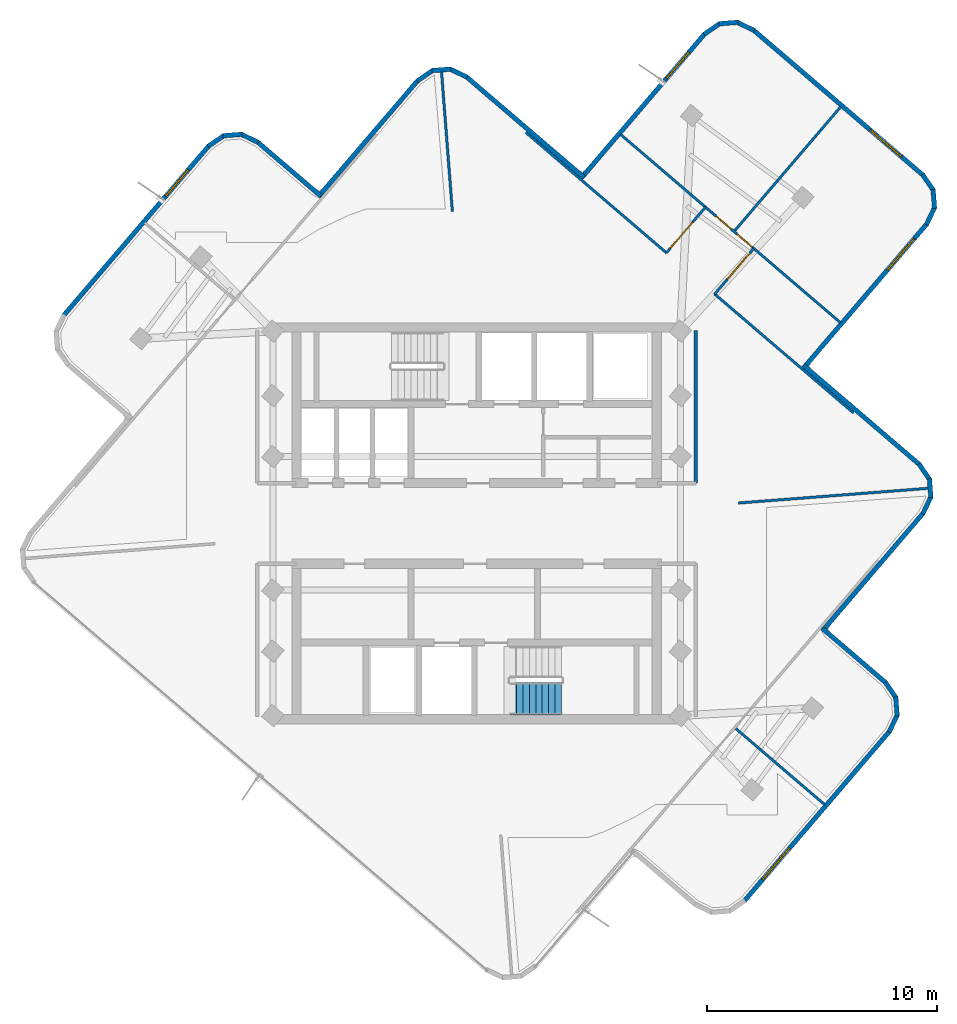
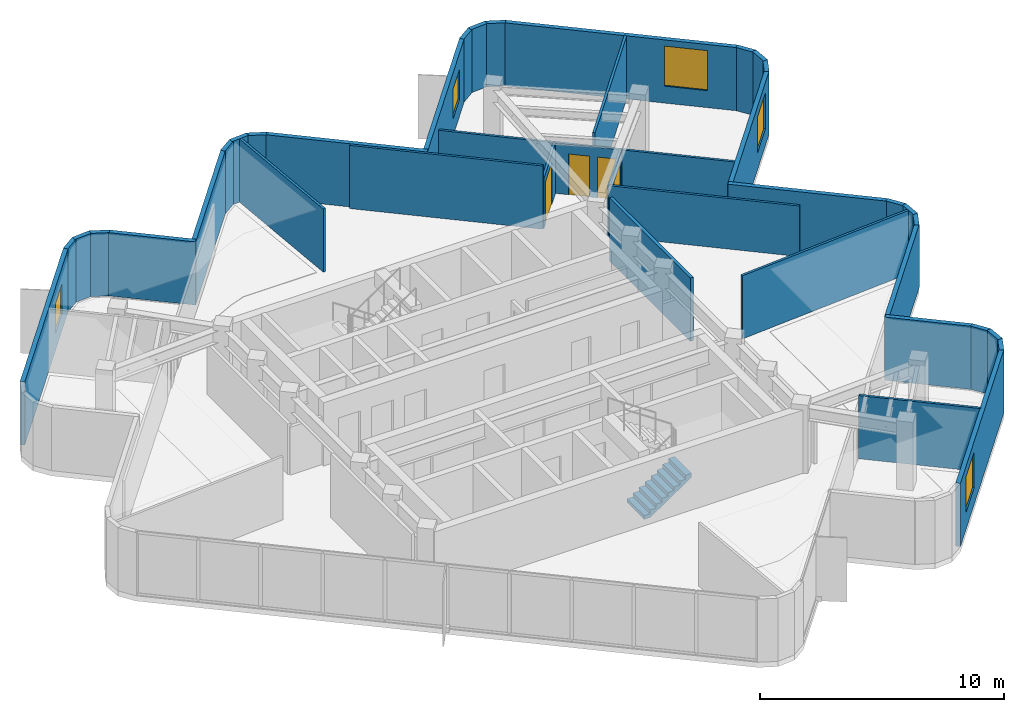
# One storey, part 7 of 11: 39 walls, 5 windows, 4 doors, 1 stair flight, 9 openings, 1 element without a shape of its own.
"""IFC4 building model written with IfcOpenShell, lengths in metres."""

from ifc_helpers import new_model, si_unit, direction, frame, frame_2d, origin, place, context, subcontext, project, spatial, polyline, rectangle, outline, extrude, material, layer, layer_set, type_object, element, fill, aggregate, save


model = new_model("IFC4")

# Units and contexts
model_context = context("Model", 3, precision=1e-05, world=origin(), true_north=direction((0.0, 1.0)))
body_context = subcontext(model_context, "Body", "Model", "MODEL_VIEW")
ifc_project = project(units=[si_unit("LENGTHUNIT", "METRE"), si_unit("AREAUNIT", "SQUARE_METRE"), si_unit("VOLUMEUNIT", "CUBIC_METRE"), si_unit("PLANEANGLEUNIT", "RADIAN"), si_unit("MASSUNIT", "GRAM", prefix="KILO")], contexts=[model_context])

# Site, building, storey
site_placement = place(None, origin())
site = spatial("IfcSite", under=ifc_project, at=site_placement, CompositionType="ELEMENT")
building_placement = place(site_placement, origin())
building = spatial("IfcBuilding", under=site, at=building_placement, Name="Solmarez Civic Tower", CompositionType="ELEMENT")
storey_placement = place(building_placement, frame((0.0, 0.0, 250.919921875)))
storey = spatial("IfcBuildingStorey", under=building, at=storey_placement, Name="L67", CompositionType="ELEMENT", Elevation=250.919921875)

# Wall, opening, window
ifc_material_1 = material(Name="Precast concrete C40/50", Category="concrete")
ifc_layer_1 = layer(ifc_material_1, 0.199951171875)
ifc_layer_set_1 = layer_set([ifc_layer_1], Name="Precast concrete C40/50")
wall_type_1 = type_object("IfcWallType", Name="WALL-EXT-200", PredefinedType="SOLIDWALL", material=ifc_layer_set_1)
wall_1_placement = place(storey_placement, frame((-17.943115234375, 9.02392578125, 0.0), z_axis=(0.0, 0.0, 1.0), x_axis=(0.650218389303, 0.759747356831, 0.0)))
wall_1 = element("IfcWall", 1, at=wall_1_placement, inside=storey, type_object=wall_type_1, Name="L67 Exterior Precast Wall 17", PredefinedType="SOLIDWALL", context=body_context, shape_type="SweptSolid", body=[
    extrude(rectangle(XDim=9.722900390625, YDim=0.199951171875, at=frame_2d((4.861328125, 0.0))), origin(), (0.0, 0.0, 1.0), 3.16015625),
])
opening_1_placement = place(wall_1_placement, frame((6.833984375, 0.0, 0.85009765625)))
opening_1 = element("IfcOpeningElement", 2, at=opening_1_placement, cuts=wall_1, Name="Opening W-14", PredefinedType="OPENING", context=body_context, shape_type="SweptSolid", body=[
    extrude(rectangle(XDim=1.5, YDim=1.5, at=frame_2d((0.75, 0.75))), frame((0.0, 0.10986328125, 0.0), z_axis=(0.0, -1.0, 0.0), x_axis=(1.0, 0.0, 0.0)), (0.0, 0.0, 1.0), 0.219970703125),
])
ifc_material_2 = material(Name="Solar Control Bronze-Tinted Insulating Glass", Category="glass")
window_type_1 = type_object("IfcWindowType", Name="WIN-1500X1500", PartitioningType="SINGLE_PANEL", PredefinedType="WINDOW", material=ifc_material_2)
window_1_placement = place(opening_1_placement, origin())
window_1 = element("IfcWindow", 3, at=window_1_placement, inside=storey, type_object=window_type_1, Name="L67 Exterior Facade Window 17", OverallHeight=1.5, OverallWidth=1.5, PartitioningType="SINGLE_PANEL", PredefinedType="WINDOW", context=body_context, shape_type="SweptSolid", body=[
    extrude(rectangle(XDim=1.5, YDim=1.5, at=frame_2d((0.75, 0.75))), frame((0.0, 0.030029296875, 0.0), z_axis=(0.0, -1.0, 0.0), x_axis=(1.0, 0.0, 0.0)), (0.0, 0.0, 1.0), 0.06005859375),
])
fill(opening_1, window_1)

# Walls
wall_2_placement = place(storey_placement, frame((-11.657958984375, 16.3779296875, 0.0), z_axis=(0.0, 0.0, 1.0), x_axis=(0.824907237821, 0.565268121329, 0.0)))
element("IfcWall", 4, at=wall_2_placement, inside=storey, type_object=wall_type_1, Name="L67 Exterior Precast Wall 18", PredefinedType="SOLIDWALL", context=body_context, shape_type="SweptSolid", body=[
    extrude(rectangle(XDim=0.8388671875, YDim=0.199951171875, at=frame_2d((0.41943359375, 0.0))), origin(), (0.0, 0.0, 1.0), 3.16015625),
])
wall_3_placement = place(storey_placement, frame((-11.011962890625, 16.8359375, 0.0), z_axis=(0.0, 0.0, 1.0), x_axis=(0.996986164412, 0.077579558977, 0.0)))
element("IfcWall", 5, at=wall_3_placement, inside=storey, type_object=wall_type_1, Name="L67 Exterior Precast Wall 19", PredefinedType="SOLIDWALL", context=body_context, shape_type="SweptSolid", body=[
    extrude(rectangle(XDim=0.824462890625, YDim=0.199951171875, at=frame_2d((0.412109375, 0.0))), origin(), (0.0, 0.0, 1.0), 3.16015625),
])
wall_4_placement = place(storey_placement, frame((-10.238037109375, 16.908935546875, 0.0), z_axis=(0.0, 0.0, 1.0), x_axis=(0.902473334209, -0.430745726666, 0.0)))
element("IfcWall", 6, at=wall_4_placement, inside=storey, type_object=wall_type_1, Name="L67 Exterior Precast Wall 20", PredefinedType="SOLIDWALL", context=body_context, shape_type="SweptSolid", body=[
    extrude(rectangle(XDim=0.840087890625, YDim=0.199951171875, at=frame_2d((0.419921875, 0.0))), origin(), (0.0, 0.0, 1.0), 3.16015625),
])
wall_5_placement = place(storey_placement, frame((-9.52197265625, 16.573974609375, 0.0), z_axis=(0.0, 0.0, 1.0), x_axis=(0.759914066759, -0.650023546606, 0.0)))
element("IfcWall", 7, at=wall_5_placement, inside=storey, type_object=wall_type_1, Name="L67 Exterior Precast Wall 21", PredefinedType="SOLIDWALL", context=body_context, shape_type="SweptSolid", body=[
    extrude(rectangle(XDim=3.641357421875, YDim=0.199951171875, at=frame_2d((1.82080078125, 0.0))), origin(), (0.0, 0.0, 1.0), 3.16015625),
])
wall_6_placement = place(storey_placement, frame((-6.867919921875, 14.197998046875, 0.0), z_axis=(0.0, 0.0, 1.0), x_axis=(0.650240147413, 0.759728734939, 0.0)))
element("IfcWall", 8, at=wall_6_placement, inside=storey, type_object=wall_type_1, Name="L67 Exterior Precast Wall 24", PredefinedType="SOLIDWALL", context=body_context, shape_type="SweptSolid", body=[
    extrude(rectangle(XDim=6.640380859375, YDim=0.199951171875, at=frame_2d((3.3203125, 0.0))), origin(), (0.0, 0.0, 1.0), 3.16015625),
])
wall_7_placement = place(storey_placement, frame((-2.5869140625, 19.2099609375, 0.0), z_axis=(0.0, 0.0, 1.0), x_axis=(0.824907237821, 0.565268121329, 0.0)))
element("IfcWall", 9, at=wall_7_placement, inside=storey, type_object=wall_type_1, Name="L67 Exterior Precast Wall 25", PredefinedType="SOLIDWALL", context=body_context, shape_type="SweptSolid", body=[
    extrude(rectangle(XDim=0.8388671875, YDim=0.199951171875, at=frame_2d((0.41943359375, 0.0))), origin(), (0.0, 0.0, 1.0), 3.16015625),
])
wall_8_placement = place(storey_placement, frame((-1.94091796875, 19.66796875, 0.0), z_axis=(0.0, 0.0, 1.0), x_axis=(0.996986164412, 0.077579558977, 0.0)))
element("IfcWall", 10, at=wall_8_placement, inside=storey, type_object=wall_type_1, Name="L67 Exterior Precast Wall 26", PredefinedType="SOLIDWALL", context=body_context, shape_type="SweptSolid", body=[
    extrude(rectangle(XDim=0.824462890625, YDim=0.199951171875, at=frame_2d((0.412109375, 0.0))), origin(), (0.0, 0.0, 1.0), 3.16015625),
])
wall_9_placement = place(storey_placement, frame((-1.1669921875, 19.740966796875, 0.0), z_axis=(0.0, 0.0, 1.0), x_axis=(0.902360330408, -0.430982405796, 0.0)))
element("IfcWall", 11, at=wall_9_placement, inside=storey, type_object=wall_type_1, Name="L67 Exterior Precast Wall 27", PredefinedType="SOLIDWALL", context=body_context, shape_type="SweptSolid", body=[
    extrude(rectangle(XDim=0.840087890625, YDim=0.199951171875, at=frame_2d((0.419921875, 0.0))), origin(), (0.0, 0.0, 1.0), 3.16015625),
])
wall_10_placement = place(storey_placement, frame((-0.450927734375, 19.406005859375, 0.0), z_axis=(0.0, 0.0, 1.0), x_axis=(0.759775314842, -0.650185720357, 0.0)))
element("IfcWall", 12, at=wall_10_placement, inside=storey, type_object=wall_type_1, Name="L67 Exterior Precast Wall 28", PredefinedType="SOLIDWALL", context=body_context, shape_type="SweptSolid", body=[
    extrude(rectangle(XDim=6.7412109375, YDim=0.199951171875, at=frame_2d((3.37060546875, 0.0))), origin(), (0.0, 0.0, 1.0), 3.16015625),
])

# Wall, opening, window
wall_11_placement = place(storey_placement, frame((4.55810546875, 15.013916015625, 0.0), z_axis=(0.0, 0.0, 1.0), x_axis=(0.650254487329, 0.759716461391, 0.0)))
wall_11 = element("IfcWall", 13, at=wall_11_placement, inside=storey, type_object=wall_type_1, Name="L67 Exterior Precast Wall 31", PredefinedType="SOLIDWALL", context=body_context, shape_type="SweptSolid", body=[
    extrude(rectangle(XDim=8.2412109375, YDim=0.199951171875, at=frame_2d((4.12060546875, 0.0))), origin(), (0.0, 0.0, 1.0), 3.16015625),
])
opening_2_placement = place(wall_11_placement, frame((5.677978515625, 0.0, 0.85009765625)))
opening_2 = element("IfcOpeningElement", 14, at=opening_2_placement, cuts=wall_11, Name="Opening W-14", PredefinedType="OPENING", context=body_context, shape_type="SweptSolid", body=[
    extrude(rectangle(XDim=1.5, YDim=1.5, at=frame_2d((0.75, 0.75))), frame((0.0, 0.10986328125, 0.0), z_axis=(0.0, -1.0, 0.0), x_axis=(1.0, 0.0, 0.0)), (0.0, 0.0, 1.0), 0.219970703125),
])
window_2_placement = place(opening_2_placement, origin())
window_2 = element("IfcWindow", 15, at=window_2_placement, inside=storey, type_object=window_type_1, Name="L67 Exterior Facade Window 31", OverallHeight=1.5, OverallWidth=1.5, PartitioningType="SINGLE_PANEL", PredefinedType="WINDOW", context=body_context, shape_type="SweptSolid", body=[
    extrude(rectangle(XDim=1.5, YDim=1.5, at=frame_2d((0.75, 0.75))), frame((0.0, 0.030029296875, 0.0), z_axis=(0.0, -1.0, 0.0), x_axis=(1.0, 0.0, 0.0)), (0.0, 0.0, 1.0), 0.06005859375),
])
fill(opening_2, window_2)

# Walls
wall_12_placement = place(storey_placement, frame((9.8798828125, 21.241943359375, 0.0), z_axis=(0.0, 0.0, 1.0), x_axis=(0.825000211037, 0.565132419694, 0.0)))
element("IfcWall", 16, at=wall_12_placement, inside=storey, type_object=wall_type_1, Name="L67 Exterior Precast Wall 32", PredefinedType="SOLIDWALL", context=body_context, shape_type="SweptSolid", body=[
    extrude(rectangle(XDim=0.8388671875, YDim=0.199951171875, at=frame_2d((0.41943359375, 0.0))), origin(), (0.0, 0.0, 1.0), 3.16015625),
])
wall_13_placement = place(storey_placement, frame((10.52587890625, 21.699951171875, 0.0), z_axis=(0.0, 0.0, 1.0), x_axis=(0.996986164412, 0.077579558977, 0.0)))
element("IfcWall", 17, at=wall_13_placement, inside=storey, type_object=wall_type_1, Name="L67 Exterior Precast Wall 33", PredefinedType="SOLIDWALL", context=body_context, shape_type="SweptSolid", body=[
    extrude(rectangle(XDim=0.824462890625, YDim=0.199951171875, at=frame_2d((0.412109375, 0.0))), origin(), (0.0, 0.0, 1.0), 3.16015625),
])
wall_14_placement = place(storey_placement, frame((11.300048828125, 21.77294921875, 0.0), z_axis=(0.0, 0.0, 1.0), x_axis=(0.902089895834, -0.431548166297, 0.0)))
element("IfcWall", 18, at=wall_14_placement, inside=storey, type_object=wall_type_1, Name="L67 Exterior Precast Wall 34", PredefinedType="SOLIDWALL", context=body_context, shape_type="SweptSolid", body=[
    extrude(rectangle(XDim=0.8388671875, YDim=0.199951171875, at=frame_2d((0.41943359375, 0.0))), origin(), (0.0, 0.0, 1.0), 3.16015625),
])

# Wall, opening, window
wall_15_placement = place(storey_placement, frame((12.014892578125, 21.43798828125, 0.0), z_axis=(0.0, 0.0, 1.0), x_axis=(0.75980042935, -0.650156371622, 0.0)))
wall_15 = element("IfcWall", 19, at=wall_15_placement, inside=storey, type_object=wall_type_1, Name="L67 Exterior Precast Wall 35", PredefinedType="SOLIDWALL", context=body_context, shape_type="SweptSolid", body=[
    extrude(rectangle(XDim=9.723876953125, YDim=0.199951171875, at=frame_2d((4.86181640625, 0.0))), origin(), (0.0, 0.0, 1.0), 3.16015625),
])
opening_3_placement = place(wall_15_placement, frame((6.68408203125, 0.0, 0.85009765625)))
opening_3 = element("IfcOpeningElement", 20, at=opening_3_placement, cuts=wall_15, Name="Opening W-04", PredefinedType="OPENING", context=body_context, shape_type="SweptSolid", body=[
    extrude(rectangle(XDim=1.800048828125, YDim=2.0, at=frame_2d((0.89990234375, 1.0))), frame((0.0, 0.10986328125, 0.0), z_axis=(0.0, -1.0, 0.0), x_axis=(1.0, 0.0, 0.0)), (0.0, 0.0, 1.0), 0.219970703125),
])
window_type_2 = type_object("IfcWindowType", Name="WIN-1800X2000", PartitioningType="SINGLE_PANEL", PredefinedType="WINDOW", material=ifc_material_2)
window_3_placement = place(opening_3_placement, origin())
window_3 = element("IfcWindow", 21, at=window_3_placement, inside=storey, type_object=window_type_2, Name="L67 Exterior Facade Window 35", OverallHeight=2.0, OverallWidth=1.800048828125, PartitioningType="SINGLE_PANEL", PredefinedType="WINDOW", context=body_context, shape_type="SweptSolid", body=[
    extrude(rectangle(XDim=1.800048828125, YDim=2.0, at=frame_2d((0.89990234375, 1.0))), frame((0.0, 0.030029296875, 0.0), z_axis=(0.0, -1.0, 0.0), x_axis=(1.0, 0.0, 0.0)), (0.0, 0.0, 1.0), 0.06005859375),
])
fill(opening_3, window_3)

# Walls
wall_16_placement = place(storey_placement, frame((19.3701171875, 15.153076171875, 0.0), z_axis=(0.0, 0.0, 1.0), x_axis=(0.564140869434, -0.825678556967, 0.0)))
element("IfcWall", 22, at=wall_16_placement, inside=storey, type_object=wall_type_1, Name="L67 Exterior Precast Wall 36", PredefinedType="SOLIDWALL", context=body_context, shape_type="SweptSolid", body=[
    extrude(rectangle(XDim=0.83837890625, YDim=0.199951171875, at=frame_2d((0.419189453125, 0.0))), origin(), (0.0, 0.0, 1.0), 3.16015625),
])
wall_17_placement = place(storey_placement, frame((19.826904296875, 14.507080078125, 0.0), z_axis=(0.0, 0.0, 1.0), x_axis=(0.07778202678, -0.996970388883, 0.0)))
element("IfcWall", 23, at=wall_17_placement, inside=storey, type_object=wall_type_1, Name="L67 Exterior Precast Wall 37", PredefinedType="SOLIDWALL", context=body_context, shape_type="SweptSolid", body=[
    extrude(rectangle(XDim=0.825439453125, YDim=0.199951171875, at=frame_2d((0.41259765625, 0.0))), origin(), (0.0, 0.0, 1.0), 3.16015625),
])
wall_18_placement = place(storey_placement, frame((19.89990234375, 13.73193359375, 0.0), z_axis=(0.0, 0.0, 1.0), x_axis=(-0.431311318386, -0.902203162615, 0.0)))
element("IfcWall", 24, at=wall_18_placement, inside=storey, type_object=wall_type_1, Name="L67 Exterior Precast Wall 38", PredefinedType="SOLIDWALL", context=body_context, shape_type="SweptSolid", body=[
    extrude(rectangle(XDim=0.8388671875, YDim=0.199951171875, at=frame_2d((0.41943359375, 0.0))), origin(), (0.0, 0.0, 1.0), 3.16015625),
])

# Wall, opening, window
wall_19_placement = place(storey_placement, frame((19.56494140625, 13.01708984375, 0.0), z_axis=(0.0, 0.0, 1.0), x_axis=(-0.650112914542, -0.759837613142, 0.0)))
wall_19 = element("IfcWall", 25, at=wall_19_placement, inside=storey, type_object=wall_type_1, Name="L67 Exterior Precast Wall 39", PredefinedType="SOLIDWALL", context=body_context, shape_type="SweptSolid", body=[
    extrude(rectangle(XDim=8.241455078125, YDim=0.199951171875, at=frame_2d((4.12060546875, 0.0))), origin(), (0.0, 0.0, 1.0), 3.16015625),
])
opening_4_placement = place(wall_19_placement, frame((0.85009765625, 0.0, 0.85009765625)))
opening_4 = element("IfcOpeningElement", 26, at=opening_4_placement, cuts=wall_19, Name="Opening W-08", PredefinedType="OPENING", context=body_context, shape_type="SweptSolid", body=[
    extrude(rectangle(XDim=1.800048828125, YDim=1.800048828125, at=frame_2d((0.89990234375, 0.89990234375))), frame((0.0, 0.10986328125, 0.0), z_axis=(0.0, -1.0, 0.0), x_axis=(1.0, 0.0, 0.0)), (0.0, 0.0, 1.0), 0.219970703125),
])
window_type_3 = type_object("IfcWindowType", Name="WIN-1800X1800", PartitioningType="SINGLE_PANEL", PredefinedType="WINDOW", material=ifc_material_2)
window_4_placement = place(opening_4_placement, origin())
window_4 = element("IfcWindow", 27, at=window_4_placement, inside=storey, type_object=window_type_3, Name="L67 Exterior Facade Window 39", OverallHeight=1.800048828125, OverallWidth=1.800048828125, PartitioningType="SINGLE_PANEL", PredefinedType="WINDOW", context=body_context, shape_type="SweptSolid", body=[
    extrude(rectangle(XDim=1.800048828125, YDim=1.800048828125, at=frame_2d((0.89990234375, 0.89990234375))), frame((0.0, 0.030029296875, 0.0), z_axis=(0.0, -1.0, 0.0), x_axis=(1.0, 0.0, 0.0)), (0.0, 0.0, 1.0), 0.06005859375),
])
fill(opening_4, window_4)

# Walls
wall_20_placement = place(storey_placement, frame((14.197998046875, 6.867919921875, 0.0), z_axis=(0.0, 0.0, 1.0), x_axis=(0.759728734939, -0.650240147413, 0.0)))
element("IfcWall", 28, at=wall_20_placement, inside=storey, type_object=wall_type_1, Name="L67 Exterior Precast Wall 42", PredefinedType="SOLIDWALL", context=body_context, shape_type="SweptSolid", body=[
    extrude(rectangle(XDim=6.640380859375, YDim=0.199951171875, at=frame_2d((3.3203125, 0.0))), origin(), (0.0, 0.0, 1.0), 3.16015625),
])
wall_21_placement = place(storey_placement, frame((19.2099609375, 2.5869140625, 0.0), z_axis=(0.0, 0.0, 1.0), x_axis=(0.565268121329, -0.824907237821, 0.0)))
element("IfcWall", 29, at=wall_21_placement, inside=storey, type_object=wall_type_1, Name="L67 Exterior Precast Wall 43", PredefinedType="SOLIDWALL", context=body_context, shape_type="SweptSolid", body=[
    extrude(rectangle(XDim=0.8388671875, YDim=0.199951171875, at=frame_2d((0.41943359375, 0.0))), origin(), (0.0, 0.0, 1.0), 3.16015625),
])
wall_22_placement = place(storey_placement, frame((19.66796875, 1.94091796875, 0.0), z_axis=(0.0, 0.0, 1.0), x_axis=(0.077579558977, -0.996986164412, 0.0)))
element("IfcWall", 30, at=wall_22_placement, inside=storey, type_object=wall_type_1, Name="L67 Exterior Precast Wall 44", PredefinedType="SOLIDWALL", context=body_context, shape_type="SweptSolid", body=[
    extrude(rectangle(XDim=0.824462890625, YDim=0.199951171875, at=frame_2d((0.412109375, 0.0))), origin(), (0.0, 0.0, 1.0), 3.16015625),
])
wall_23_placement = place(storey_placement, frame((19.740966796875, 1.1669921875, 0.0), z_axis=(0.0, 0.0, 1.0), x_axis=(-0.430982405796, -0.902360330408, 0.0)))
element("IfcWall", 31, at=wall_23_placement, inside=storey, type_object=wall_type_1, Name="L67 Exterior Precast Wall 45", PredefinedType="SOLIDWALL", context=body_context, shape_type="SweptSolid", body=[
    extrude(rectangle(XDim=0.840087890625, YDim=0.199951171875, at=frame_2d((0.419921875, 0.0))), origin(), (0.0, 0.0, 1.0), 3.16015625),
])
wall_24_placement = place(storey_placement, frame((19.406005859375, 0.450927734375, 0.0), z_axis=(0.0, 0.0, 1.0), x_axis=(-0.650185720357, -0.759775314842, 0.0)))
element("IfcWall", 32, at=wall_24_placement, inside=storey, type_object=wall_type_1, Name="L67 Exterior Precast Wall 46", PredefinedType="SOLIDWALL", context=body_context, shape_type="SweptSolid", body=[
    extrude(rectangle(XDim=6.7412109375, YDim=0.199951171875, at=frame_2d((3.37060546875, 0.0))), origin(), (0.0, 0.0, 1.0), 3.16015625),
])
wall_25_placement = place(storey_placement, frame((15.013916015625, -4.55810546875, 0.0), z_axis=(0.0, 0.0, 1.0), x_axis=(0.759781598798, -0.650178377161, 0.0)))
element("IfcWall", 33, at=wall_25_placement, inside=storey, type_object=wall_type_1, Name="L67 Exterior Precast Wall 49", PredefinedType="SOLIDWALL", context=body_context, shape_type="SweptSolid", body=[
    extrude(rectangle(XDim=3.641845703125, YDim=0.199951171875, at=frame_2d((1.82080078125, 0.0))), origin(), (0.0, 0.0, 1.0), 3.16015625),
])
wall_26_placement = place(storey_placement, frame((17.748046875, -6.888916015625, 0.0), z_axis=(0.0, 0.0, 1.0), x_axis=(0.564140869434, -0.825678556967, 0.0)))
element("IfcWall", 34, at=wall_26_placement, inside=storey, type_object=wall_type_1, Name="L67 Exterior Precast Wall 50", PredefinedType="SOLIDWALL", context=body_context, shape_type="SweptSolid", body=[
    extrude(rectangle(XDim=0.83837890625, YDim=0.199951171875, at=frame_2d((0.419189453125, 0.0))), origin(), (0.0, 0.0, 1.0), 3.16015625),
])
wall_27_placement = place(storey_placement, frame((18.205078125, -7.534912109375, 0.0), z_axis=(0.0, 0.0, 1.0), x_axis=(0.077579558977, -0.996986164412, 0.0)))
element("IfcWall", 35, at=wall_27_placement, inside=storey, type_object=wall_type_1, Name="L67 Exterior Precast Wall 51", PredefinedType="SOLIDWALL", context=body_context, shape_type="SweptSolid", body=[
    extrude(rectangle(XDim=0.824462890625, YDim=0.199951171875, at=frame_2d((0.412109375, 0.0))), origin(), (0.0, 0.0, 1.0), 3.16015625),
])
wall_28_placement = place(storey_placement, frame((18.278076171875, -8.30908203125, 0.0), z_axis=(0.0, 0.0, 1.0), x_axis=(-0.431548166297, -0.902089895834, 0.0)))
element("IfcWall", 36, at=wall_28_placement, inside=storey, type_object=wall_type_1, Name="L67 Exterior Precast Wall 52", PredefinedType="SOLIDWALL", context=body_context, shape_type="SweptSolid", body=[
    extrude(rectangle(XDim=0.8388671875, YDim=0.199951171875, at=frame_2d((0.41943359375, 0.0))), origin(), (0.0, 0.0, 1.0), 3.16015625),
])

# Wall, opening, window
wall_29_placement = place(storey_placement, frame((17.943115234375, -9.02392578125, 0.0), z_axis=(0.0, 0.0, 1.0), x_axis=(-0.650218389303, -0.759747356831, 0.0)))
wall_29 = element("IfcWall", 37, at=wall_29_placement, inside=storey, type_object=wall_type_1, Name="L67 Exterior Precast Wall 53", PredefinedType="SOLIDWALL", context=body_context, shape_type="SweptSolid", body=[
    extrude(rectangle(XDim=9.722900390625, YDim=0.199951171875, at=frame_2d((4.861328125, 0.0))), origin(), (0.0, 0.0, 1.0), 3.16015625),
])
opening_5_placement = place(wall_29_placement, frame((6.68408203125, 0.0, 0.85009765625)))
opening_5 = element("IfcOpeningElement", 38, at=opening_5_placement, cuts=wall_29, Name="Opening W-08", PredefinedType="OPENING", context=body_context, shape_type="SweptSolid", body=[
    extrude(rectangle(XDim=1.800048828125, YDim=1.800048828125, at=frame_2d((0.89990234375, 0.89990234375))), frame((0.0, 0.10986328125, 0.0), z_axis=(0.0, -1.0, 0.0), x_axis=(1.0, 0.0, 0.0)), (0.0, 0.0, 1.0), 0.219970703125),
])
window_5_placement = place(opening_5_placement, origin())
window_5 = element("IfcWindow", 39, at=window_5_placement, inside=storey, type_object=window_type_3, Name="L67 Exterior Facade Window 53", OverallHeight=1.800048828125, OverallWidth=1.800048828125, PartitioningType="SINGLE_PANEL", PredefinedType="WINDOW", context=body_context, shape_type="SweptSolid", body=[
    extrude(rectangle(XDim=1.800048828125, YDim=1.800048828125, at=frame_2d((0.89990234375, 0.89990234375))), frame((0.0, 0.030029296875, 0.0), z_axis=(0.0, -1.0, 0.0), x_axis=(1.0, 0.0, 0.0)), (0.0, 0.0, 1.0), 0.06005859375),
])
fill(opening_5, window_5)

# Walls
ifc_material_3 = material(Name="Gypsum Board Acoustic Steel-Stud Partition", Category="steel")
ifc_layer_2 = layer(ifc_material_3, 0.14990234375)
ifc_layer_set_2 = layer_set([ifc_layer_2], Name="Gypsum Board Acoustic Steel-Stud Partition")
wall_type_2 = type_object("IfcWallType", Name="WALL-INT-FIRE-150", PredefinedType="PARTITIONING", material=ifc_layer_set_2)
wall_30_placement = place(storey_placement, frame((9.52001953125, 1.75, 0.0), z_axis=(0.0, 0.0, 1.0), x_axis=(0.0, 1.0, 0.0)))
element("IfcWall", 40, at=wall_30_placement, inside=storey, type_object=wall_type_2, Name="L67 Interior Partition CHW-L67-EN1", PredefinedType="PARTITIONING", context=body_context, shape_type="SweptSolid", body=[
    extrude(rectangle(XDim=6.6298828125, YDim=0.14990234375, at=frame_2d((3.31494140625, 0.0))), origin(), (0.0, 0.0, 1.0), 3.16015625),
])
ifc_layer_3 = layer(ifc_material_3, 0.110107421875)
ifc_layer_set_3 = layer_set([ifc_layer_3], Name="Gypsum Board Acoustic Steel-Stud Partition")
wall_type_3 = type_object("IfcWallType", Name="WALL-INT-PART-110", PredefinedType="PARTITIONING", material=ifc_layer_set_3)
wall_31_placement = place(storey_placement, frame((-1.052001953125, 13.5400390625, 0.0), z_axis=(0.0, 0.0, 1.0), x_axis=(-0.077356131702, 0.997003525013, 0.0)))
element("IfcWall", 41, at=wall_31_placement, inside=storey, type_object=wall_type_3, Name="L67 Interior Partition PT-L67-QDIV-1", PredefinedType="PARTITIONING", context=body_context, shape_type="SweptSolid", body=[
    extrude(rectangle(XDim=6.11328125, YDim=0.110107421875, at=frame_2d((3.056640625, 0.0))), origin(), (0.0, 0.0, 1.0), 3.16015625),
])
wall_32_placement = place(storey_placement, frame((11.365966796875, 0.883056640625, 0.0), z_axis=(0.0, 0.0, 1.0), x_axis=(0.997001087863, 0.077387536463, 0.0)))
element("IfcWall", 42, at=wall_32_placement, inside=storey, type_object=wall_type_3, Name="L67 Interior Partition PT-L67-QDIV-4", PredefinedType="PARTITIONING", context=body_context, shape_type="SweptSolid", body=[
    extrude(rectangle(XDim=8.2939453125, YDim=0.110107421875, at=frame_2d((4.14697265625, 0.0))), origin(), (0.0, 0.0, 1.0), 3.16015625),
])
wall_33_placement = place(storey_placement, frame((8.2509765625, 11.7470703125, 0.0), z_axis=(0.0, 0.0, 1.0), x_axis=(-0.759658945325, 0.650321679469, 0.0)))
element("IfcWall", 43, at=wall_33_placement, inside=storey, type_object=wall_type_3, Name="L67 Interior Partition PT-L67-E-EFL", PredefinedType="PARTITIONING", context=body_context, shape_type="SweptSolid", body=[
    extrude(rectangle(XDim=8.049560546875, YDim=0.110107421875, at=frame_2d((4.02490234375, 0.0))), origin(), (0.0, 0.0, 1.0), 3.16015625),
])
wall_34_placement = place(storey_placement, frame((16.3720703125, 4.7958984375, 0.0), z_axis=(0.0, 0.0, 1.0), x_axis=(-0.759640163548, 0.650343618348, 0.0)))
element("IfcWall", 44, at=wall_34_placement, inside=storey, type_object=wall_type_3, Name="L67 Interior Partition PT-L67-E-EFR", PredefinedType="PARTITIONING", context=body_context, shape_type="SweptSolid", body=[
    extrude(rectangle(XDim=7.949951171875, YDim=0.110107421875, at=frame_2d((3.97509765625, 0.0))), origin(), (0.0, 0.0, 1.0), 2.530029296875),
])

# Wall, opening, door
wall_35_placement = place(storey_placement, frame((9.94091796875, 13.737060546875, 0.0), z_axis=(0.0, 0.0, 1.0), x_axis=(-0.65016721503, -0.759791150581, 0.0)))
wall_35 = element("IfcWall", 45, at=wall_35_placement, inside=storey, type_object=wall_type_3, Name="L67 Interior Partition PT-L67-E-SL", PredefinedType="PARTITIONING", context=body_context, shape_type="SweptSolid", body=[
    extrude(rectangle(XDim=2.610107421875, YDim=0.110107421875, at=frame_2d((1.30517578125, 0.0))), origin(), (0.0, 0.0, 1.0), 2.530029296875),
])
opening_6_placement = place(wall_35_placement, frame((0.85498046875, 0.0, 0.0)))
opening_6 = element("IfcOpeningElement", 46, at=opening_6_placement, cuts=wall_35, Name="Opening D-16", PredefinedType="OPENING", context=body_context, shape_type="SweptSolid", body=[
    extrude(rectangle(XDim=1.5, YDim=2.1201171875, at=frame_2d((0.75, 1.06005859375))), frame((0.0, 0.06494140625, 0.0), z_axis=(0.0, -1.0, 0.0), x_axis=(1.0, 0.0, 0.0)), (0.0, 0.0, 1.0), 0.130126953125),
])
ifc_material_4 = material(Name="Diplomatic Protocol Reception Door", Category="wood")
door_type_1 = type_object("IfcDoorType", Name="DOOR-INT-1500", OperationType="NOTDEFINED", PredefinedType="DOOR", material=ifc_material_4)
door_1_placement = place(opening_6_placement, origin())
door_1 = element("IfcDoor", 47, at=door_1_placement, inside=storey, type_object=door_type_1, Name="L67 Executive Chamber Co-Working Policy Workspace East Door", OperationType="SINGLE_SWING_LEFT", OverallHeight=2.1201171875, OverallWidth=1.5, PredefinedType="DOOR", context=body_context, shape_type="SweptSolid", body=[
    extrude(rectangle(XDim=1.5, YDim=2.1201171875, at=frame_2d((0.75, 1.06005859375))), frame((0.0, 0.02490234375, 0.0), z_axis=(0.0, -1.0, 0.0), x_axis=(1.0, 0.0, 0.0)), (0.0, 0.0, 1.0), 0.050048828125),
])
fill(opening_6, door_1)

wall_36_placement = place(storey_placement, frame((10.340087890625, 9.958984375, 0.0), z_axis=(0.0, 0.0, 1.0), x_axis=(0.650429323352, 0.759566781346, 0.0)))
wall_36 = element("IfcWall", 48, at=wall_36_placement, inside=storey, type_object=wall_type_3, Name="L67 Interior Partition PT-L67-E-SR", PredefinedType="PARTITIONING", context=body_context, shape_type="SweptSolid", body=[
    extrude(rectangle(XDim=2.610595703125, YDim=0.110107421875, at=frame_2d((1.30517578125, 0.0))), origin(), (0.0, 0.0, 1.0), 2.530029296875),
])
opening_7_placement = place(wall_36_placement, frame((0.85498046875, 0.0, 0.0)))
opening_7 = element("IfcOpeningElement", 49, at=opening_7_placement, cuts=wall_36, Name="Opening D-16", PredefinedType="OPENING", context=body_context, shape_type="SweptSolid", body=[
    extrude(rectangle(XDim=1.5, YDim=2.1201171875, at=frame_2d((0.75, 1.06005859375))), frame((0.0, 0.06494140625, 0.0), z_axis=(0.0, -1.0, 0.0), x_axis=(1.0, 0.0, 0.0)), (0.0, 0.0, 1.0), 0.130126953125),
])
door_2_placement = place(opening_7_placement, origin())
door_2 = element("IfcDoor", 50, at=door_2_placement, inside=storey, type_object=door_type_1, Name="L67 Breakout Huddle Room East Door", OperationType="SINGLE_SWING_RIGHT", OverallHeight=2.1201171875, OverallWidth=1.5, PredefinedType="DOOR", context=body_context, shape_type="SweptSolid", body=[
    extrude(rectangle(XDim=1.5, YDim=2.1201171875, at=frame_2d((0.75, 1.06005859375))), frame((0.0, 0.02490234375, 0.0), z_axis=(0.0, -1.0, 0.0), x_axis=(1.0, 0.0, 0.0)), (0.0, 0.0, 1.0), 0.050048828125),
])
fill(opening_7, door_2)

# Wall
wall_37_placement = place(storey_placement, frame((11.218017578125, 12.721923828125, 0.0), z_axis=(0.0, 0.0, 1.0), x_axis=(0.650148936059, 0.75980679185, 0.0)))
element("IfcWall", 51, at=wall_37_placement, inside=storey, type_object=wall_type_3, Name="L67 Interior Partition PT-L67-E-TM", PredefinedType="PARTITIONING", context=body_context, shape_type="SweptSolid", body=[
    extrude(rectangle(XDim=7.075439453125, YDim=0.110107421875, at=frame_2d((3.53759765625, 0.0))), origin(), (0.0, 0.0, 1.0), 3.16015625),
])

# Wall, openings, doors
wall_38_placement = place(storey_placement, frame((6.251953125, 16.89404296875, 0.0), z_axis=(0.0, 0.0, 1.0), x_axis=(0.759715677597, -0.650255403063, 0.0)))
wall_38 = element("IfcWall", 52, at=wall_38_placement, inside=storey, type_object=wall_type_3, Name="L67 Interior Partition PT-L67-E-END", PredefinedType="PARTITIONING", context=body_context, shape_type="SweptSolid", body=[
    extrude(rectangle(XDim=12.570556640625, YDim=0.110107421875, at=frame_2d((6.28515625, 0.0))), origin(), (0.0, 0.0, 1.0), 2.530029296875),
])
opening_8_placement = place(wall_38_placement, frame((6.655029296875, 0.0, 0.0)))
opening_8 = element("IfcOpeningElement", 53, at=opening_8_placement, cuts=wall_38, Name="Opening D-14", PredefinedType="OPENING", context=body_context, shape_type="SweptSolid", body=[
    extrude(rectangle(XDim=0.860107421875, YDim=2.0400390625, at=frame_2d((0.43017578125, 1.02001953125))), frame((0.0, 0.06494140625, 0.0), z_axis=(0.0, -1.0, 0.0), x_axis=(1.0, 0.0, 0.0)), (0.0, 0.0, 1.0), 0.130126953125),
])
opening_9_placement = place(wall_38_placement, frame((5.455078125, 0.0, 0.0)))
opening_9 = element("IfcOpeningElement", 54, at=opening_9_placement, cuts=wall_38, Name="Opening D-14", PredefinedType="OPENING", context=body_context, shape_type="SweptSolid", body=[
    extrude(rectangle(XDim=0.860107421875, YDim=2.0400390625, at=frame_2d((0.43017578125, 1.02001953125))), frame((0.0, 0.06494140625, 0.0), z_axis=(0.0, -1.0, 0.0), x_axis=(1.0, 0.0, 0.0)), (0.0, 0.0, 1.0), 0.130126953125),
])
ifc_material_5 = material(Name="Timber Storage and Pantry Door", Category="wood")
door_type_2 = type_object("IfcDoorType", Name="DOOR-INT-850", OperationType="NOTDEFINED", PredefinedType="DOOR", material=ifc_material_5)
door_3_placement = place(opening_8_placement, origin())
door_3 = element("IfcDoor", 55, at=door_3_placement, inside=storey, type_object=door_type_2, Name="L67 Staff Tea Pantry Sixth East Door", OperationType="SINGLE_SWING_RIGHT", OverallHeight=2.0400390625, OverallWidth=0.860107421875, PredefinedType="DOOR", context=body_context, shape_type="SweptSolid", body=[
    extrude(rectangle(XDim=0.860107421875, YDim=2.0400390625, at=frame_2d((0.43017578125, 1.02001953125))), frame((0.0, 0.02490234375, 0.0), z_axis=(0.0, -1.0, 0.0), x_axis=(1.0, 0.0, 0.0)), (0.0, 0.0, 1.0), 0.050048828125),
])
fill(opening_8, door_3)
door_4_placement = place(opening_9_placement, origin())
door_4 = element("IfcDoor", 56, at=door_4_placement, inside=storey, type_object=door_type_2, Name="L67 Municipal Mailroom Fifth East Door", OperationType="SINGLE_SWING_LEFT", OverallHeight=2.0400390625, OverallWidth=0.860107421875, PredefinedType="DOOR", context=body_context, shape_type="SweptSolid", body=[
    extrude(rectangle(XDim=0.860107421875, YDim=2.0400390625, at=frame_2d((0.43017578125, 1.02001953125))), frame((0.0, 0.02490234375, 0.0), z_axis=(0.0, -1.0, 0.0), x_axis=(1.0, 0.0, 0.0)), (0.0, 0.0, 1.0), 0.050048828125),
])
fill(opening_9, door_4)

# Wall
wall_39_placement = place(storey_placement, frame((11.260009765625, -8.9130859375, 0.0), z_axis=(0.0, 0.0, 1.0), x_axis=(0.759673292451, -0.650304919816, 0.0)))
element("IfcWall", 57, at=wall_39_placement, inside=storey, type_object=wall_type_3, Name="L67 Interior Partition PT-L67-S-ALM", PredefinedType="PARTITIONING", context=body_context, shape_type="SweptSolid", body=[
    extrude(rectangle(XDim=5.085205078125, YDim=0.110107421875, at=frame_2d((2.54248046875, 0.0))), origin(), (0.0, 0.0, 1.0), 3.16015625),
])

# Stair, stair flight
ifc_material_6 = material(Name="Concrete C50/60", Category="concrete")
stair_type = type_object("IfcStairType", Name="STAIR-DOGLEG-140W-18R-1900", PredefinedType="HALF_TURN_STAIR", material=ifc_material_6)
stair_placement = place(storey_placement, origin())
stair = element("IfcStair", 58, at=stair_placement, inside=storey, type_object=stair_type, Name="L67 South Core Protected Exit Stair ST-2", PredefinedType="HALF_TURN_STAIR")
stair_flight_type = type_object("IfcStairFlightType", Name="FLIGHT-DOGLEG-140W-9R-1900", PredefinedType="STRAIGHT", material=ifc_material_6)
stair_flight_placement = place(storey_placement, frame((1.449951171875, -7.6201171875, 0.0), z_axis=(0.0, 0.0, 1.0), x_axis=(1.0, 0.0, 0.0)))
stair_flight = element("IfcStairFlight", 59, at=stair_flight_placement, type_object=stair_flight_type, Name="ST-2 flight 1", NumberOfRisers=9, NumberOfTreads=8, PredefinedType="STRAIGHT", RiserHeight=0.19, TreadLength=0.28, context=body_context, shape_type="SweptSolid", body=[
    extrude(outline(polyline([(0.0, 0.0), (0.0, 0.18994140625), (0.280029296875, 0.18994140625), (0.280029296875, 0.3798828125), (0.56005859375, 0.3798828125), (0.56005859375, 0.570068359375), (0.840087890625, 0.570068359375), (0.840087890625, 0.760009765625), (1.1201171875, 0.760009765625), (1.1201171875, 0.949951171875), (1.39990234375, 0.949951171875), (1.39990234375, 1.139892578125), (1.679931640625, 1.139892578125), (1.679931640625, 1.330078125), (1.9599609375, 1.330078125), (1.9599609375, 1.52001953125), (2.239990234375, 1.52001953125), (2.239990234375, 1.7099609375), (2.239990234375, 1.32666015625), (0.284912109375, 0.0), (0.0, 0.0)])), frame((0.0, 0.699951171875, 0.0), z_axis=(0.0, -1.0, 0.0), x_axis=(1.0, 0.0, 0.0)), (0.0, 0.0, 1.0), 1.39990234375),
])
aggregate(stair, [stair_flight])

save(model, "model.ifc")
